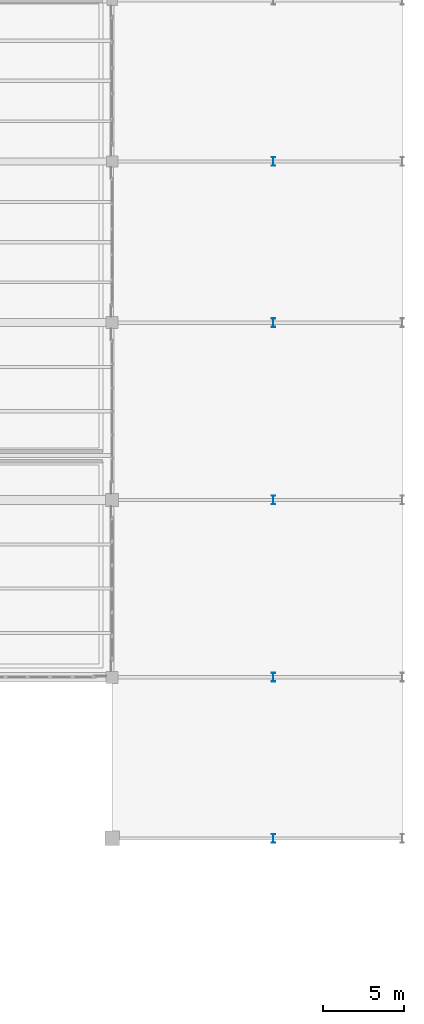
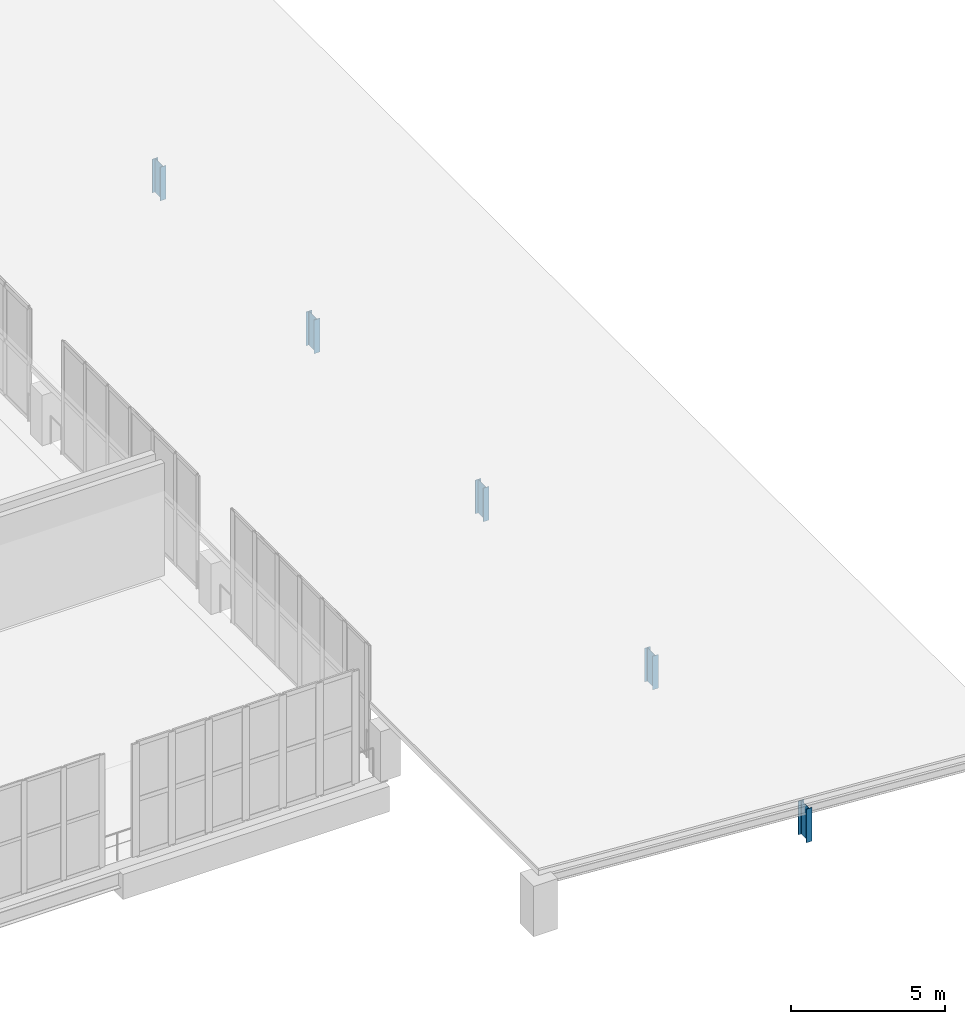
# One storey, part 10 of 136: 5 columns.
"""IFC4 building model written with IfcOpenShell, lengths in metres."""

from ifc_helpers import new_model, si_unit, direction, frame, origin, origin_2d, place, context, subcontext, project, spatial, i_section, extrude, material, material_profile, profile_set, type_object, element, save


model = new_model("IFC4")

# Units and contexts
model_context = context("Model", 3, precision=1e-05, world=origin(), true_north=direction((0.0, 1.0)))
body_context = subcontext(model_context, "Body", "Model", "MODEL_VIEW")
ifc_project = project(units=[si_unit("LENGTHUNIT", "METRE"), si_unit("AREAUNIT", "SQUARE_METRE"), si_unit("VOLUMEUNIT", "CUBIC_METRE"), si_unit("PLANEANGLEUNIT", "RADIAN"), si_unit("MASSUNIT", "GRAM", prefix="KILO")], contexts=[model_context])

# Site, building, storey
site_placement = place(None, origin())
site = spatial("IfcSite", under=ifc_project, at=site_placement, CompositionType="ELEMENT")
building_placement = place(site_placement, origin())
building = spatial("IfcBuilding", under=site, at=building_placement, Name="Brinegate Civic Arena", CompositionType="ELEMENT")
storey_placement = place(building_placement, frame((0.0, 0.0, 5.39990234375)))
storey = spatial("IfcBuildingStorey", under=building, at=storey_placement, Name="L01", CompositionType="ELEMENT", Elevation=5.39990234375)

# Columns
ifc_material = material(Name="Steel S355", Category="steel")
ifc_material_profile = material_profile(ifc_material, i_section(OverallWidth=0.2119140625, OverallDepth=0.5439453125, WebThickness=0.012939453125, FlangeThickness=0.02099609375, FilletRadius=0.01611328125, at=origin_2d()), Name="W530X123")
ifc_profile_set = profile_set([ifc_material_profile], Name="Steel S355")
column_type = type_object("IfcColumnType", Name="COL-SC02-W530", PredefinedType="COLUMN", material=ifc_profile_set)
for number, where, z_axis, x_axis, name in (
    (1, (200.0, 10.0, 0.0), (0.0, 0.0, 1.0), (1.0, 0.0, 0.0), "Dock Roof Column COL-L01-18-B"),
    (2, (200.0, 20.0, 0.0), (0.0, 0.0, 1.0), (1.0, 0.0, 0.0), "Dock Roof Column COL-L01-18-C"),
    (3, (200.0, 31.0, 0.0), (0.0, 0.0, 1.0), (1.0, 0.0, 0.0), "Dock Roof Column COL-L01-18-D"),
    (4, (200.0, 42.0, 0.0), (0.0, 0.0, 1.0), (1.0, 0.0, 0.0), "Dock Roof Column COL-L01-18-E"),
    (5, (200.0, 52.0, 0.0), (0.0, 0.0, 1.0), (1.0, 0.0, 0.0), "Dock Roof Column COL-L01-18-F"),
):
    element("IfcColumn", number, at=place(storey_placement, frame(where, z_axis=z_axis, x_axis=x_axis)), inside=storey, type_object=column_type, Name=name, PredefinedType="COLUMN", context=body_context, shape_type="SweptSolid", body=[
        extrude(i_section(OverallWidth=0.2119140625, OverallDepth=0.5439453125, WebThickness=0.012939453125, FlangeThickness=0.02099609375, FilletRadius=0.01611328125, at=origin_2d()), origin(), (0.0, 0.0, 1.0), 1.3330078125),
    ])

save(model, "model.ifc")
